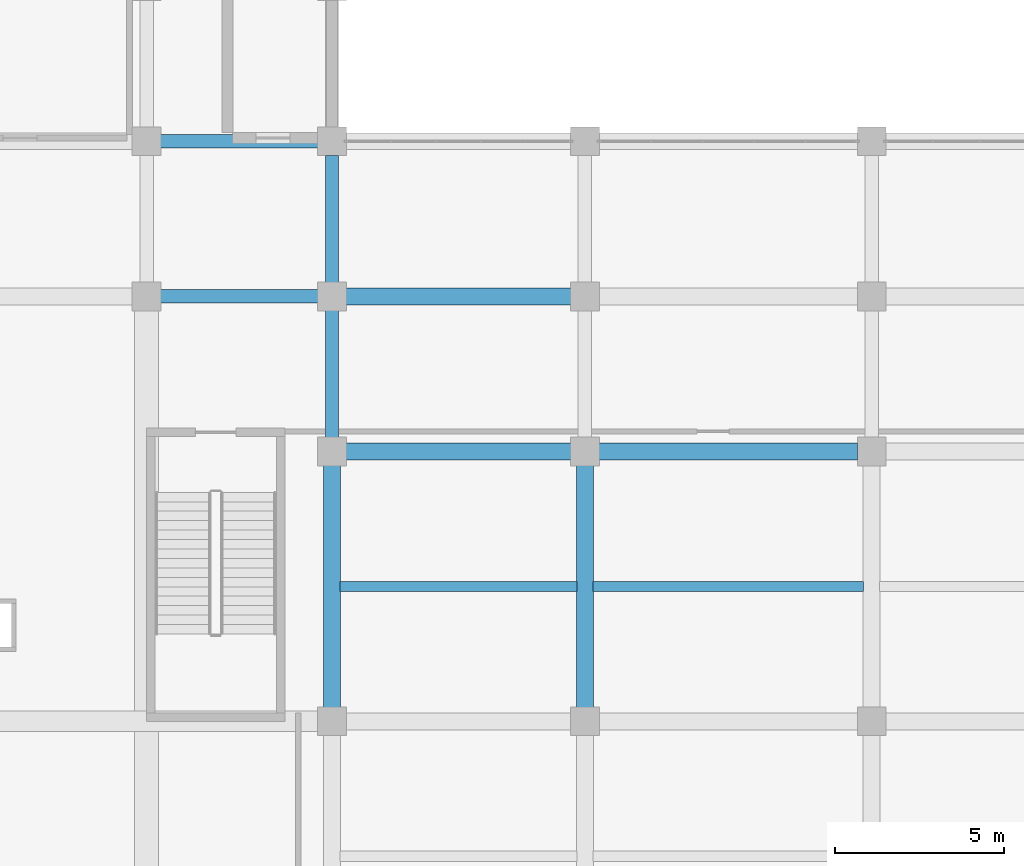
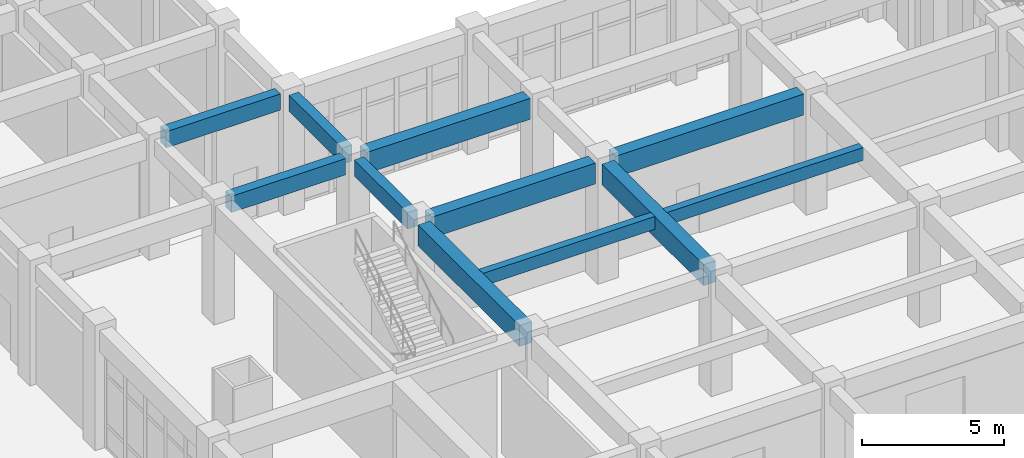
# One storey, part 8 of 84: 11 beams.
"""IFC4 building model written with IfcOpenShell, lengths in metres."""

from ifc_helpers import new_model, si_unit, direction, frame, origin, origin_2d, place, context, subcontext, project, spatial, rectangle, extrude, material, material_profile, profile_set, type_object, element, save


model = new_model("IFC4")

# Units and contexts
model_context = context("Model", 3, precision=1e-05, world=origin(), true_north=direction((0.0, 1.0)))
body_context = subcontext(model_context, "Body", "Model", "MODEL_VIEW")
ifc_project = project(units=[si_unit("LENGTHUNIT", "METRE"), si_unit("AREAUNIT", "SQUARE_METRE"), si_unit("VOLUMEUNIT", "CUBIC_METRE"), si_unit("PLANEANGLEUNIT", "RADIAN"), si_unit("MASSUNIT", "GRAM", prefix="KILO")], contexts=[model_context])

# Site, building, storey
site_placement = place(None, origin())
site = spatial("IfcSite", under=ifc_project, at=site_placement, CompositionType="ELEMENT")
building_placement = place(site_placement, origin())
building = spatial("IfcBuilding", under=site, at=building_placement, Name="Muzn Square Opera House", CompositionType="ELEMENT")
storey_placement = place(building_placement, origin())
storey = spatial("IfcBuildingStorey", under=building, at=storey_placement, Name="L00", CompositionType="ELEMENT", Elevation=0.0)

# Beams
ifc_material = material(Name="Concrete C40/50", Category="concrete")
ifc_material_profile_1 = material_profile(ifc_material, rectangle(XDim=0.300048828125, YDim=0.550048828125, at=origin_2d()), Name="RCJ 300x550", Category="concrete")
ifc_profile_set_1 = profile_set([ifc_material_profile_1], Name="Concrete C40/50")
beam_type_1 = type_object("IfcBeamType", Name="Floor Joist 300x550", PredefinedType="JOIST", material=ifc_profile_set_1)
beam_1_placement = place(storey_placement, frame((19.241943359375, 18.0, 4.844970703125), z_axis=(1.0, 0.0, 0.0), x_axis=(0.0, 1.0, 0.0)))
element("IfcBeam", 1, at=beam_1_placement, inside=storey, type_object=beam_type_1, Name="Floor Joist BM-L00-BM-J550-192_180_263_180-1184", PredefinedType="JOIST", context=body_context, shape_type="SweptSolid", body=[
    extrude(rectangle(XDim=0.300048828125, YDim=0.550048828125, at=origin_2d()), origin(), (0.0, 0.0, 1.0), 7.01611328125),
])
beam_2_placement = place(storey_placement, frame((26.741943359375, 18.0, 4.844970703125), z_axis=(1.0, 0.0, 0.0), x_axis=(0.0, 1.0, 0.0)))
element("IfcBeam", 2, at=beam_2_placement, inside=storey, type_object=beam_type_1, Name="Floor Joist BM-L00-BM-J550-267_180_348_180-1192", PredefinedType="JOIST", context=body_context, shape_type="SweptSolid", body=[
    extrude(rectangle(XDim=0.300048828125, YDim=0.550048828125, at=origin_2d()), origin(), (0.0, 0.0, 1.0), 8.01611328125),
])
ifc_material_profile_2 = material_profile(ifc_material, rectangle(XDim=0.39990234375, YDim=0.699951171875, at=origin_2d()), Name="RCB 400x700", Category="concrete")
ifc_profile_set_2 = profile_set([ifc_material_profile_2], Name="Concrete C40/50")
beam_type_2 = type_object("IfcBeamType", Name="Primary Girder 400x700", PredefinedType="BEAM", material=ifc_profile_set_2)
for number, where, z_axis, x_axis, name in (
    (3, (13.9169921875, 26.60009765625, 4.77001953125), (1.0, 0.0, 0.0), (0.0, 1.0, 0.0), "Primary Girder BM-L00-BM-PG700-139_266_186_266-775"),
    (4, (13.9169921875, 31.199951171875, 4.77001953125), (1.0, 0.0, 0.0), (0.0, 1.0, 0.0), "Primary Girder BM-L00-BM-PG700-139_312_186_312-790"),
):
    element("IfcBeam", number, at=place(storey_placement, frame(where, z_axis=z_axis, x_axis=x_axis)), inside=storey, type_object=beam_type_2, Name=name, PredefinedType="BEAM", context=body_context, shape_type="SweptSolid", body=[
        extrude(rectangle(XDim=0.39990234375, YDim=0.699951171875, at=origin_2d()), origin(), (0.0, 0.0, 1.0), 4.666015625),
    ])
beam_3_placement = place(storey_placement, frame((19.0, 22.4169921875, 4.77001953125), z_axis=(0.0, 1.0, 0.0), x_axis=(-1.0, 0.0, 0.0)))
element("IfcBeam", 5, at=beam_3_placement, inside=storey, type_object=beam_type_2, Name="Primary Girder BM-L00-BM-PG700-190_224_190_262-980", PredefinedType="BEAM", context=body_context, shape_type="SweptSolid", body=[
    extrude(rectangle(XDim=0.39990234375, YDim=0.699951171875, at=origin_2d()), origin(), (0.0, 0.0, 1.0), 3.76611328125),
])
beam_4_placement = place(storey_placement, frame((19.0, 27.01708984375, 4.77001953125), z_axis=(0.0, 1.0, 0.0), x_axis=(-1.0, 0.0, 0.0)))
element("IfcBeam", 6, at=beam_4_placement, inside=storey, type_object=beam_type_2, Name="Primary Girder BM-L00-BM-PG700-190_270_190_308-981", PredefinedType="BEAM", context=body_context, shape_type="SweptSolid", body=[
    extrude(rectangle(XDim=0.39990234375, YDim=0.699951171875, at=origin_2d()), origin(), (0.0, 0.0, 1.0), 3.765869140625),
])
ifc_material_profile_3 = material_profile(ifc_material, rectangle(XDim=0.5, YDim=0.89990234375, at=origin_2d()), Name="RCB 500x900", Category="concrete")
ifc_profile_set_3 = profile_set([ifc_material_profile_3], Name="Concrete C40/50")
beam_type_3 = type_object("IfcBeamType", Name="Primary Girder 500x900", PredefinedType="BEAM", material=ifc_profile_set_3)
beam_5_placement = place(storey_placement, frame((19.4169921875, 22.0, 4.669921875), z_axis=(1.0, 0.0, 0.0), x_axis=(0.0, 1.0, 0.0)))
element("IfcBeam", 7, at=beam_5_placement, inside=storey, type_object=beam_type_3, Name="Primary Girder BM-L00-BM-PG900-194_220_261_220-756", PredefinedType="BEAM", context=body_context, shape_type="SweptSolid", body=[
    extrude(rectangle(XDim=0.5, YDim=0.89990234375, at=origin_2d()), origin(), (0.0, 0.0, 1.0), 6.666015625),
])
beam_6_placement = place(storey_placement, frame((26.9169921875, 22.0, 4.669921875), z_axis=(1.0, 0.0, 0.0), x_axis=(0.0, 1.0, 0.0)))
element("IfcBeam", 8, at=beam_6_placement, inside=storey, type_object=beam_type_3, Name="Primary Girder BM-L00-BM-PG900-269_220_346_220-757", PredefinedType="BEAM", context=body_context, shape_type="SweptSolid", body=[
    extrude(rectangle(XDim=0.5, YDim=0.89990234375, at=origin_2d()), origin(), (0.0, 0.0, 1.0), 7.666015625),
])
beam_7_placement = place(storey_placement, frame((19.4169921875, 26.60009765625, 4.669921875), z_axis=(1.0, 0.0, 0.0), x_axis=(0.0, 1.0, 0.0)))
element("IfcBeam", 9, at=beam_7_placement, inside=storey, type_object=beam_type_3, Name="Primary Girder BM-L00-BM-PG900-194_266_261_266-776", PredefinedType="BEAM", context=body_context, shape_type="SweptSolid", body=[
    extrude(rectangle(XDim=0.5, YDim=0.89990234375, at=origin_2d()), origin(), (0.0, 0.0, 1.0), 6.666015625),
])
for number, where, z_axis, x_axis, name in (
    (10, (19.0, 14.4169921875, 4.669921875), (0.0, 1.0, 0.0), (-1.0, 0.0, 0.0), "Primary Girder BM-L00-BM-PG900-190_144_190_216-979"),
    (11, (26.5, 14.4169921875, 4.669921875), (0.0, 1.0, 0.0), (-1.0, 0.0, 0.0), "Primary Girder BM-L00-BM-PG900-265_144_265_216-996"),
):
    element("IfcBeam", number, at=place(storey_placement, frame(where, z_axis=z_axis, x_axis=x_axis)), inside=storey, type_object=beam_type_3, Name=name, PredefinedType="BEAM", context=body_context, shape_type="SweptSolid", body=[
        extrude(rectangle(XDim=0.5, YDim=0.89990234375, at=origin_2d()), origin(), (0.0, 0.0, 1.0), 7.166015625),
    ])

save(model, "model.ifc")
